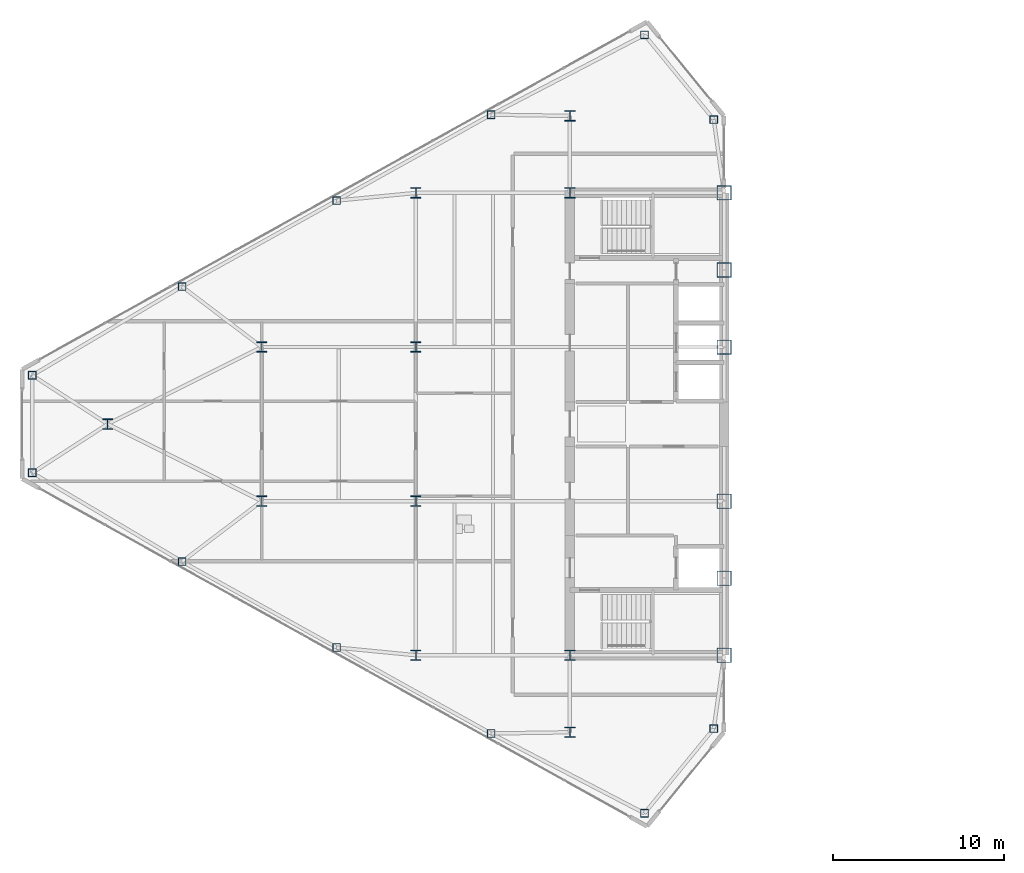
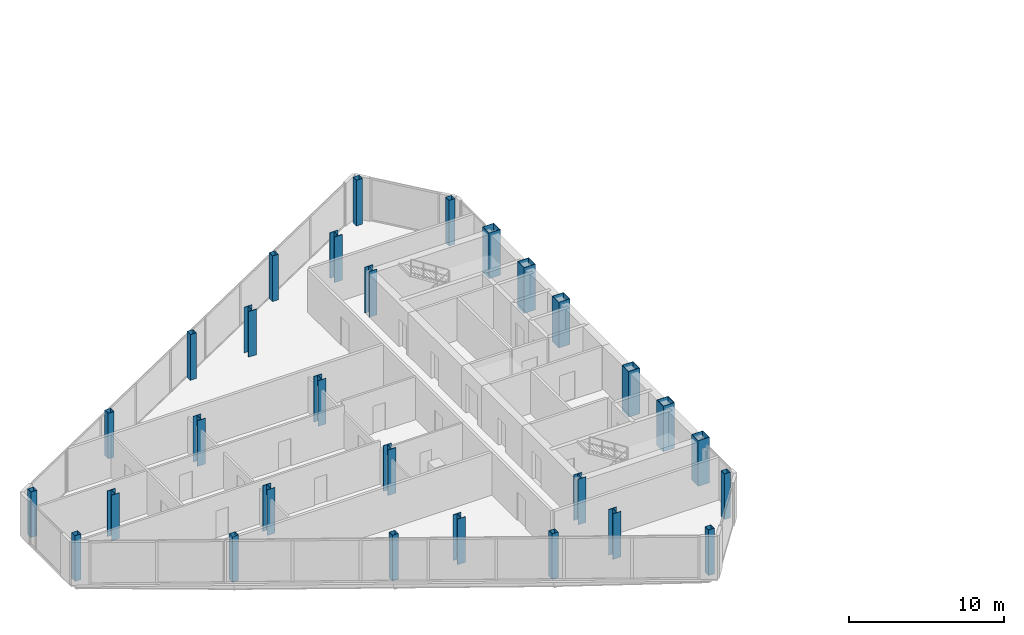
# One storey, part 1 of 26: 29 columns.
"""IFC4 building model written with IfcOpenShell, lengths in metres."""

from ifc_helpers import new_model, si_unit, direction, frame, origin, origin_2d, place, context, subcontext, project, spatial, hollow_rectangle, i_section, extrude, source, transform, mapped, material, material_profile, profile_set, type_object, type_shapes, element, save


model = new_model("IFC4")

# Units and contexts
model_context = context("Model", 3, precision=1e-05, world=origin(), true_north=direction((0.0, 1.0)))
body_context = subcontext(model_context, "Body", "Model", "MODEL_VIEW")
ifc_project = project(units=[si_unit("LENGTHUNIT", "METRE"), si_unit("AREAUNIT", "SQUARE_METRE"), si_unit("VOLUMEUNIT", "CUBIC_METRE"), si_unit("PLANEANGLEUNIT", "RADIAN"), si_unit("MASSUNIT", "GRAM", prefix="KILO")], contexts=[model_context])

# Site, building, storey
site_placement = place(None, origin())
site = spatial("IfcSite", under=ifc_project, at=site_placement, CompositionType="ELEMENT")
building_placement = place(site_placement, origin())
building = spatial("IfcBuilding", under=site, at=building_placement, Name="Seokmaru Belvedere", CompositionType="ELEMENT")
storey_placement = place(building_placement, frame((0.0, 0.0, 174.300048828125)))
storey = spatial("IfcBuildingStorey", under=building, at=storey_placement, Name="L46", CompositionType="ELEMENT", Elevation=174.300048828125)

# Columns
ifc_material_1 = material(Name="Steel SM355 (355 MPa)", Category="steel")
ifc_material_profile_1 = material_profile(ifc_material_1, hollow_rectangle(XDim=0.449951171875, YDim=0.449951171875, WallThickness=0.01806640625, at=origin_2d()), Name="HSS-450x450x18")
ifc_profile_set_1 = profile_set([ifc_material_profile_1], Name="Steel SM355 (355 MPa)")
column_type_1 = type_object("IfcColumnType", Name="Perimeter Facet Column HSS-450", PredefinedType="COLUMN", material=ifc_profile_set_1)
shared_shape_1 = source(origin(), body_context, "Body", "SweptSolid", [
    extrude(hollow_rectangle(XDim=0.449951171875, YDim=0.449951171875, WallThickness=0.01806640625, at=origin_2d()), origin(), (0.0, 0.0, 1.0), 3.599853515625),
])
type_shapes(column_type_1, [shared_shape_1])
for number, where, z_axis, x_axis, name in (
    (1, (-28.10009765625, -17.785888671875, 0.0), (0.0, 0.0, 1.0), (1.0, 0.0, 0.0), "L46 Column WF1"),
    (2, (-28.10009765625, 17.785888671875, 0.0), (0.0, 0.0, 1.0), (1.0, 0.0, 0.0), "L46 Column WF2"),
    (3, (-32.146728515625, 22.731689453125, 0.0), (0.0, 0.0, 1.0), (1.0, 0.0, 0.0), "L46 Column WF3"),
    (4, (-67.89990234375, 2.84716796875, 0.0), (0.0, 0.0, 1.0), (1.0, 0.0, 0.0), "L46 Column WF4"),
    (5, (-67.89990234375, -2.84716796875, 0.0), (0.0, 0.0, 1.0), (1.0, 0.0, 0.0), "L46 Column WF5"),
    (6, (-32.146728515625, -22.731689453125, 0.0), (0.0, 0.0, 1.0), (1.0, 0.0, 0.0), "L46 Column WF6"),
    (7, (-41.103759765625, -18.07080078125, 0.0), (0.0, 0.0, 1.0), (1.0, 0.0, 0.0), "L46 Column WFLK_S1"),
    (8, (-50.129150390625, -13.051025390625, 0.0), (0.0, 0.0, 1.0), (1.0, 0.0, 0.0), "L46 Column WFLK_S2"),
    (9, (-59.154541015625, -8.031494140625, 0.0), (0.0, 0.0, 1.0), (1.0, 0.0, 0.0), "L46 Column WFLK_S3"),
    (10, (-41.103759765625, 18.07080078125, 0.0), (0.0, 0.0, 1.0), (1.0, 0.0, 0.0), "L46 Column WFLK_N1"),
    (11, (-50.129150390625, 13.051025390625, 0.0), (0.0, 0.0, 1.0), (1.0, 0.0, 0.0), "L46 Column WFLK_N2"),
    (12, (-59.154541015625, 8.031494140625, 0.0), (0.0, 0.0, 1.0), (1.0, 0.0, 0.0), "L46 Column WFLK_N3"),
):
    element("IfcColumn", number, at=place(storey_placement, frame(where, z_axis=z_axis, x_axis=x_axis)), inside=storey, type_object=column_type_1, Name=name, PredefinedType="COLUMN", context=body_context, shape_type="MappedRepresentation", body=[
        mapped(shared_shape_1, transform((0.0, 0.0, 0.0), scale=1.0)),
    ])
ifc_material_2 = material(Name="Steel HSA650 (650 MPa)", Category="steel")
ifc_material_profile_2 = material_profile(ifc_material_2, hollow_rectangle(XDim=0.85009765625, YDim=0.85009765625, WallThickness=0.035888671875, at=origin_2d()), Name="BOX-850x850x36")
ifc_profile_set_2 = profile_set([ifc_material_profile_2], Name="Steel HSA650 (650 MPa)")
column_type_2 = type_object("IfcColumnType", Name="Portal Spine Column BOX-850", PredefinedType="COLUMN", material=ifc_profile_set_2)
shared_shape_2 = source(origin(), body_context, "Body", "SweptSolid", [
    extrude(hollow_rectangle(XDim=0.85009765625, YDim=0.85009765625, WallThickness=0.035888671875, at=origin_2d()), origin(), (0.0, 0.0, 1.0), 3.599853515625),
])
type_shapes(column_type_2, [shared_shape_2])
for number, where, z_axis, x_axis, name in (
    (13, (-27.5, -13.5, 0.0), (0.0, 0.0, 1.0), (1.0, 0.0, 0.0), "L46 Column WS1"),
    (14, (-27.5, -9.0, 0.0), (0.0, 0.0, 1.0), (1.0, 0.0, 0.0), "L46 Column WS2"),
    (15, (-27.5, -4.5, 0.0), (0.0, 0.0, 1.0), (1.0, 0.0, 0.0), "L46 Column WS3"),
    (16, (-27.5, 4.5, 0.0), (0.0, 0.0, 1.0), (1.0, 0.0, 0.0), "L46 Column WS4"),
    (17, (-27.5, 9.0, 0.0), (0.0, 0.0, 1.0), (1.0, 0.0, 0.0), "L46 Column WS5"),
    (18, (-27.5, 13.5, 0.0), (0.0, 0.0, 1.0), (1.0, 0.0, 0.0), "L46 Column WS6"),
):
    element("IfcColumn", number, at=place(storey_placement, frame(where, z_axis=z_axis, x_axis=x_axis)), inside=storey, type_object=column_type_2, Name=name, PredefinedType="COLUMN", context=body_context, shape_type="MappedRepresentation", body=[
        mapped(shared_shape_2, transform((0.0, 0.0, 0.0), scale=1.0)),
    ])
ifc_material_profile_3 = material_profile(ifc_material_1, i_section(OverallWidth=0.60009765625, OverallDepth=0.60009765625, WebThickness=0.02490234375, FlangeThickness=0.0400390625, at=origin_2d()), Name="H-600x600x25x40")
ifc_profile_set_3 = profile_set([ifc_material_profile_3], Name="Steel SM355 (355 MPa)")
column_type_3 = type_object("IfcColumnType", Name="Upper-Mid Interior Column H-600", PredefinedType="COLUMN", material=ifc_profile_set_3)
shared_shape_3 = source(origin(), body_context, "Body", "SweptSolid", [
    extrude(i_section(OverallWidth=0.60009765625, OverallDepth=0.60009765625, WebThickness=0.02490234375, FlangeThickness=0.0400390625, at=origin_2d()), origin(), (0.0, 0.0, 1.0), 3.599853515625),
])
type_shapes(column_type_3, [shared_shape_3])
for number, where, z_axis, x_axis, name in (
    (19, (-36.5, -18.0, 0.0), (0.0, 0.0, 1.0), (1.0, 0.0, 0.0), "L46 Column WC1"),
    (20, (-36.5, -13.5, 0.0), (0.0, 0.0, 1.0), (1.0, 0.0, 0.0), "L46 Column WC2"),
    (21, (-36.5, 13.5, 0.0), (0.0, 0.0, 1.0), (1.0, 0.0, 0.0), "L46 Column WC3"),
    (22, (-36.5, 18.0, 0.0), (0.0, 0.0, 1.0), (1.0, 0.0, 0.0), "L46 Column WC4"),
    (23, (-45.5, -13.5, 0.0), (0.0, 0.0, 1.0), (1.0, 0.0, 0.0), "L46 Column WG5_1"),
    (24, (-45.5, -4.5, 0.0), (0.0, 0.0, 1.0), (1.0, 0.0, 0.0), "L46 Column WG5_2"),
    (25, (-45.5, 4.5, 0.0), (0.0, 0.0, 1.0), (1.0, 0.0, 0.0), "L46 Column WG5_3"),
    (26, (-45.5, 13.5, 0.0), (0.0, 0.0, 1.0), (1.0, 0.0, 0.0), "L46 Column WG5_4"),
    (27, (-54.5, -4.5, 0.0), (0.0, 0.0, 1.0), (1.0, 0.0, 0.0), "L46 Column WG4P_1"),
    (28, (-54.5, 4.5, 0.0), (0.0, 0.0, 1.0), (1.0, 0.0, 0.0), "L46 Column WG4P_2"),
    (29, (-63.5, 0.0, 0.0), (0.0, 0.0, 1.0), (1.0, 0.0, 0.0), "L46 Column WG3P_1"),
):
    element("IfcColumn", number, at=place(storey_placement, frame(where, z_axis=z_axis, x_axis=x_axis)), inside=storey, type_object=column_type_3, Name=name, PredefinedType="COLUMN", context=body_context, shape_type="MappedRepresentation", body=[
        mapped(shared_shape_3, transform((0.0, 0.0, 0.0), scale=1.0)),
    ])

save(model, "model.ifc")
